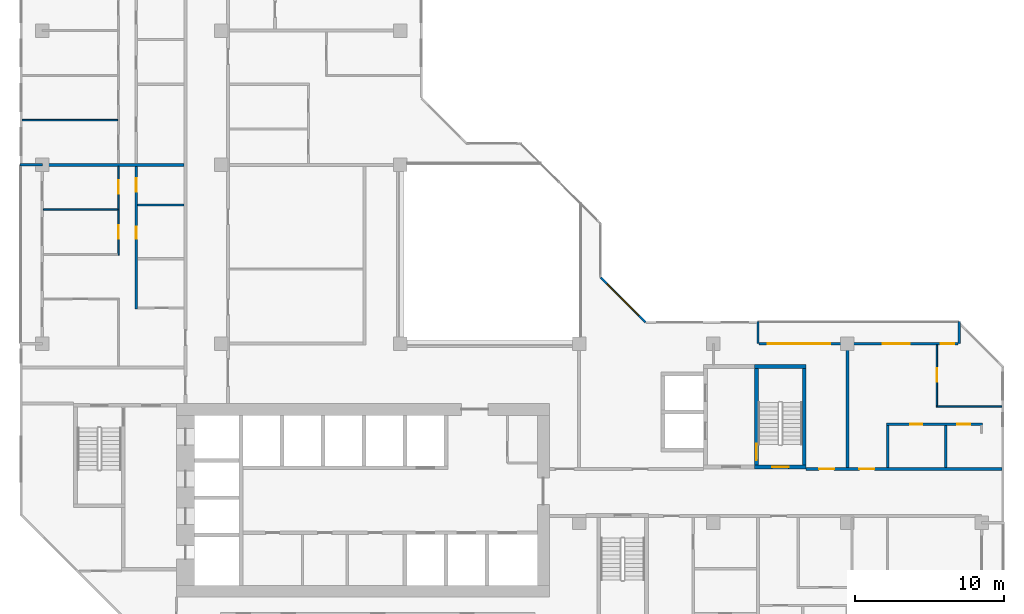
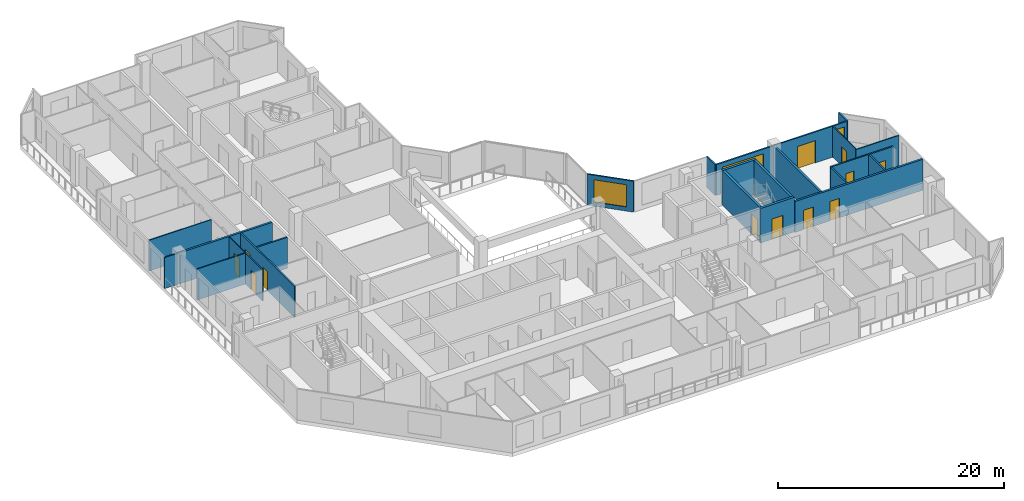
# One storey, part 8 of 15: 22 walls, 12 doors, 3 windows, 15 openings.
"""IFC4 building model written with IfcOpenShell, lengths in metres."""

from ifc_helpers import new_model, si_unit, direction, frame, frame_2d, origin, place, context, subcontext, project, spatial, rectangle, extrude, material, layer, layer_set, type_object, element, fill, save


model = new_model("IFC4")

# Units and contexts
model_context = context("Model", 3, precision=1e-05, world=origin(), true_north=direction((0.0, 1.0)))
body_context = subcontext(model_context, "Body", "Model", "MODEL_VIEW")
ifc_project = project(units=[si_unit("LENGTHUNIT", "METRE"), si_unit("AREAUNIT", "SQUARE_METRE"), si_unit("VOLUMEUNIT", "CUBIC_METRE"), si_unit("PLANEANGLEUNIT", "RADIAN"), si_unit("MASSUNIT", "GRAM", prefix="KILO")], contexts=[model_context])

# Site, building, storey
site_placement = place(None, origin())
site = spatial("IfcSite", under=ifc_project, at=site_placement, CompositionType="ELEMENT")
building_placement = place(site_placement, origin())
building = spatial("IfcBuilding", under=site, at=building_placement, Name="Chenar Terraces", CompositionType="ELEMENT")
storey_placement = place(building_placement, frame((0.0, 0.0, 176.14990234375)))
storey = spatial("IfcBuildingStorey", under=building, at=storey_placement, Name="L40", CompositionType="ELEMENT", Elevation=176.14990234375)

# Wall, opening, door
ifc_material_1 = material(Name="Concrete C60/75", Category="concrete")
ifc_layer_1 = layer(ifc_material_1, 0.25)
ifc_layer_set_1 = layer_set([ifc_layer_1], Name="Concrete C60/75")
wall_type_1 = type_object("IfcWallType", Name="Core wall 250 Concrete C60/75", PredefinedType="SHEAR", material=ifc_layer_set_1)
wall_1_placement = place(storey_placement, frame((47.77490234375, 15.72509765625, 0.0), z_axis=(0.0, 0.0, 1.0), x_axis=(1.0, 0.0, 0.0)))
wall_1 = element("IfcWall", 1, at=wall_1_placement, inside=storey, type_object=wall_type_1, Name="Core wall ST3_S L40", PredefinedType="SHEAR", context=body_context, shape_type="SweptSolid", body=[
    extrude(rectangle(XDim=3.4501953125, YDim=0.25, at=frame_2d((1.72509765625, 0.0))), origin(), (0.0, 0.0, 1.0), 3.75),
])
opening_1_placement = place(wall_1_placement, frame((1.175048828125, 0.0, 0.0)))
opening_1 = element("IfcOpeningElement", 2, at=opening_1_placement, cuts=wall_1, Name="Opening DL40-C8", PredefinedType="OPENING", context=body_context, shape_type="SweptSolid", body=[
    extrude(rectangle(XDim=1.10009765625, YDim=2.199951171875, at=frame_2d((0.550048828125, 1.10009765625))), frame((0.0, 0.135009765625, 0.0), z_axis=(0.0, -1.0, 0.0), x_axis=(1.0, 0.0, 0.0)), (0.0, 0.0, 1.0), 0.27001953125),
])
ifc_material_2 = material(Name="Steel-framed fire-resisting door leaf", Category="steel")
door_type_1 = type_object("IfcDoorType", Name="Stair fire door FD60 1100 x 2200", OperationType="SINGLE_SWING_LEFT", PredefinedType="DOOR", material=ifc_material_2)
door_1_placement = place(opening_1_placement, frame((1.10009765625, 0.0, 0.0), z_axis=(0.0, 0.0, 1.0), x_axis=(-1.0, 0.0, 0.0)))
door_1 = element("IfcDoor", 3, at=door_1_placement, inside=storey, type_object=door_type_1, Name="Stair door DL40-C8", OperationType="SINGLE_SWING_LEFT", OverallHeight=2.199951171875, OverallWidth=1.10009765625, PredefinedType="DOOR", context=body_context, shape_type="SweptSolid", body=[
    extrude(rectangle(XDim=1.10009765625, YDim=2.199951171875, at=frame_2d((0.550048828125, 1.10009765625))), frame((0.0, 0.02490234375, 0.0), z_axis=(0.0, -1.0, 0.0), x_axis=(1.0, 0.0, 0.0)), (0.0, 0.0, 1.0), 0.050048828125),
])
fill(opening_1, door_1)

# Wall
wall_2_placement = place(storey_placement, frame((47.77490234375, 22.47509765625, 0.0), z_axis=(0.0, 0.0, 1.0), x_axis=(1.0, 0.0, 0.0)))
element("IfcWall", 4, at=wall_2_placement, inside=storey, type_object=wall_type_1, Name="Core wall ST3_N L40", PredefinedType="SHEAR", context=body_context, shape_type="SweptSolid", body=[
    extrude(rectangle(XDim=3.4501953125, YDim=0.25, at=frame_2d((1.72509765625, 0.0))), origin(), (0.0, 0.0, 1.0), 3.75),
])

# Wall, opening, door
wall_3_placement = place(storey_placement, frame((47.89990234375, 15.85009765625, 0.0), z_axis=(0.0, 0.0, 1.0), x_axis=(0.0, 1.0, 0.0)))
wall_3 = element("IfcWall", 5, at=wall_3_placement, inside=storey, type_object=wall_type_1, Name="Core wall ST3_W L40", PredefinedType="SHEAR", context=body_context, shape_type="SweptSolid", body=[
    extrude(rectangle(XDim=6.5, YDim=0.25, at=frame_2d((3.25, 0.0))), origin(), (0.0, 0.0, 1.0), 3.75),
])
opening_2_placement = place(wall_3_placement, frame((0.35009765625, 0.0, 0.0)))
opening_2 = element("IfcOpeningElement", 6, at=opening_2_placement, cuts=wall_3, Name="Opening DL40-C11", PredefinedType="OPENING", context=body_context, shape_type="SweptSolid", body=[
    extrude(rectangle(XDim=1.10009765625, YDim=2.199951171875, at=frame_2d((0.550048828125, 1.10009765625))), frame((0.0, 0.135009765625, 0.0), z_axis=(0.0, -1.0, 0.0), x_axis=(1.0, 0.0, 0.0)), (0.0, 0.0, 1.0), 0.27001953125),
])
door_2_placement = place(opening_2_placement, frame((1.10009765625, 0.0, 0.0), z_axis=(0.0, 0.0, 1.0), x_axis=(-1.0, 0.0, 0.0)))
door_2 = element("IfcDoor", 7, at=door_2_placement, inside=storey, type_object=door_type_1, Name="Stair door DL40-C11", OperationType="SINGLE_SWING_RIGHT", OverallHeight=2.199951171875, OverallWidth=1.10009765625, PredefinedType="DOOR", context=body_context, shape_type="SweptSolid", body=[
    extrude(rectangle(XDim=1.10009765625, YDim=2.199951171875, at=frame_2d((0.550048828125, 1.10009765625))), frame((0.0, 0.02490234375, 0.0), z_axis=(0.0, -1.0, 0.0), x_axis=(1.0, 0.0, 0.0)), (0.0, 0.0, 1.0), 0.050048828125),
])
fill(opening_2, door_2)

# Wall
wall_4_placement = place(storey_placement, frame((51.10009765625, 15.85009765625, 0.0), z_axis=(0.0, 0.0, 1.0), x_axis=(0.0, 1.0, 0.0)))
element("IfcWall", 8, at=wall_4_placement, inside=storey, type_object=wall_type_1, Name="Core wall ST3_E L40", PredefinedType="SHEAR", context=body_context, shape_type="SweptSolid", body=[
    extrude(rectangle(XDim=6.5, YDim=0.25, at=frame_2d((3.25, 0.0))), origin(), (0.0, 0.0, 1.0), 3.75),
])

# Wall, openings, doors
ifc_material_3 = material(Name="Gypsum board on steel studs with fire boards", Category="steel")
ifc_layer_2 = layer(ifc_material_3, 0.199951171875)
ifc_layer_set_2 = layer_set([ifc_layer_2], Name="Gypsum board on steel studs with fire boards")
wall_type_2 = type_object("IfcWallType", Name="Corridor wall 200", PredefinedType="PARTITIONING", material=ifc_layer_set_2)
wall_5_placement = place(storey_placement, frame((51.22509765625, 15.60009765625, 0.0), z_axis=(0.0, 0.0, 1.0), x_axis=(1.0, 0.0, 0.0)))
wall_5 = element("IfcWall", 9, at=wall_5_placement, inside=storey, type_object=wall_type_2, Name="Partition L40-077", PredefinedType="PARTITIONING", context=body_context, shape_type="SweptSolid", body=[
    extrude(rectangle(XDim=13.125, YDim=0.199951171875, at=frame_2d((6.5625, 0.0))), origin(), (0.0, 0.0, 1.0), 3.35009765625),
])
opening_3_placement = place(wall_5_placement, frame((3.574951171875, 0.0, 0.0)))
opening_3 = element("IfcOpeningElement", 10, at=opening_3_placement, cuts=wall_5, Name="Opening DL40-7", PredefinedType="OPENING", context=body_context, shape_type="SweptSolid", body=[
    extrude(rectangle(XDim=1.0, YDim=2.10009765625, at=frame_2d((0.5, 1.050048828125))), frame((0.0, 0.10986328125, 0.0), z_axis=(0.0, -1.0, 0.0), x_axis=(1.0, 0.0, 0.0)), (0.0, 0.0, 1.0), 0.219970703125),
])
opening_4_placement = place(wall_5_placement, frame((0.875, 0.0, 0.0)))
opening_4 = element("IfcOpeningElement", 11, at=opening_4_placement, cuts=wall_5, Name="Opening DL40-42", PredefinedType="OPENING", context=body_context, shape_type="SweptSolid", body=[
    extrude(rectangle(XDim=1.0, YDim=2.10009765625, at=frame_2d((0.5, 1.050048828125))), frame((0.0, 0.10986328125, 0.0), z_axis=(0.0, -1.0, 0.0), x_axis=(1.0, 0.0, 0.0)), (0.0, 0.0, 1.0), 0.219970703125),
])
ifc_material_4 = material(Name="Steel-framed fire-resisting door leaf", Category="steel")
door_type_2 = type_object("IfcDoorType", Name="Fire door FD30S 1000 x 2100", OperationType="SINGLE_SWING_LEFT", PredefinedType="DOOR", material=ifc_material_4)
door_3_placement = place(opening_3_placement, origin())
door_3 = element("IfcDoor", 12, at=door_3_placement, inside=storey, type_object=door_type_2, Name="Door DL40-7", OperationType="SINGLE_SWING_LEFT", OverallHeight=2.10009765625, OverallWidth=1.0, PredefinedType="DOOR", context=body_context, shape_type="SweptSolid", body=[
    extrude(rectangle(XDim=1.0, YDim=2.10009765625, at=frame_2d((0.5, 1.050048828125))), frame((0.0, 0.02490234375, 0.0), z_axis=(0.0, -1.0, 0.0), x_axis=(1.0, 0.0, 0.0)), (0.0, 0.0, 1.0), 0.050048828125),
])
fill(opening_3, door_3)
door_4_placement = place(opening_4_placement, origin())
door_4 = element("IfcDoor", 13, at=door_4_placement, inside=storey, type_object=door_type_2, Name="Door DL40-42", OperationType="SINGLE_SWING_RIGHT", OverallHeight=2.10009765625, OverallWidth=1.0, PredefinedType="DOOR", context=body_context, shape_type="SweptSolid", body=[
    extrude(rectangle(XDim=1.0, YDim=2.10009765625, at=frame_2d((0.5, 1.050048828125))), frame((0.0, 0.02490234375, 0.0), z_axis=(0.0, -1.0, 0.0), x_axis=(1.0, 0.0, 0.0)), (0.0, 0.0, 1.0), 0.050048828125),
])
fill(opening_4, door_4)

# Wall, openings, windows, door
ifc_material_5 = material(Name="Aluminium framed glazing", Category="aluminium")
ifc_layer_3 = layer(ifc_material_5, 0.14990234375)
ifc_layer_set_3 = layer_set([ifc_layer_3], Name="Aluminium framed glazing")
wall_type_3 = type_object("IfcWallType", Name="Glazed loggia back wall 150", PredefinedType="SOLIDWALL", material=ifc_layer_set_3)
wall_6_placement = place(storey_placement, frame((61.425048828125, 24.0, 0.0), z_axis=(0.0, 0.0, 1.0), x_axis=(-1.0, 0.0, 0.0)))
wall_6 = element("IfcWall", 14, at=wall_6_placement, inside=storey, type_object=wall_type_3, Name="Glazed loggia back wall", PredefinedType="SOLIDWALL", context=body_context, shape_type="SweptSolid", body=[
    extrude(rectangle(XDim=13.35009765625, YDim=0.14990234375, at=frame_2d((6.675048828125, 0.0))), origin(), (0.0, 0.0, 1.0), 3.35009765625),
])
opening_5_placement = place(wall_6_placement, frame((0.262451171875, 0.0, 0.449951171875)))
opening_5 = element("IfcOpeningElement", 15, at=opening_5_placement, cuts=wall_6, Name="Opening W90x240", PredefinedType="OPENING", context=body_context, shape_type="SweptSolid", body=[
    extrude(rectangle(XDim=0.89990234375, YDim=2.39990234375, at=frame_2d((0.449951171875, 1.199951171875))), frame((0.0, 0.0849609375, 0.0), z_axis=(0.0, -1.0, 0.0), x_axis=(1.0, 0.0, 0.0)), (0.0, 0.0, 1.0), 0.169921875),
])
opening_6_placement = place(wall_6_placement, frame((3.25, 0.0, 0.0)))
opening_6 = element("IfcOpeningElement", 16, at=opening_6_placement, cuts=wall_6, Name="Opening DL40-G1", PredefinedType="OPENING", context=body_context, shape_type="SweptSolid", body=[
    extrude(rectangle(XDim=1.800048828125, YDim=2.39990234375, at=frame_2d((0.89990234375, 1.199951171875))), frame((0.0, 0.0849609375, 0.0), z_axis=(0.0, -1.0, 0.0), x_axis=(1.0, 0.0, 0.0)), (0.0, 0.0, 1.0), 0.169921875),
])
opening_7_placement = place(wall_6_placement, frame((8.5625, 0.0, 0.449951171875)))
opening_7 = element("IfcOpeningElement", 17, at=opening_7_placement, cuts=wall_6, Name="Opening W420x240", PredefinedType="OPENING", context=body_context, shape_type="SweptSolid", body=[
    extrude(rectangle(XDim=4.199951171875, YDim=2.39990234375, at=frame_2d((2.10009765625, 1.199951171875))), frame((0.0, 0.0849609375, 0.0), z_axis=(0.0, -1.0, 0.0), x_axis=(1.0, 0.0, 0.0)), (0.0, 0.0, 1.0), 0.169921875),
])
ifc_material_6 = material(Name="Low emissivity double glazing, aluminium frame", Category="aluminium")
window_type_1 = type_object("IfcWindowType", Name="Fixed light 4200 x 2400", PartitioningType="SINGLE_PANEL", PredefinedType="WINDOW", material=ifc_material_6)
window_1_placement = place(opening_7_placement, origin())
window_1 = element("IfcWindow", 18, at=window_1_placement, inside=storey, type_object=window_type_1, Name="Window", OverallHeight=2.39990234375, OverallWidth=4.199951171875, PartitioningType="SINGLE_PANEL", PredefinedType="WINDOW", context=body_context, shape_type="SweptSolid", body=[
    extrude(rectangle(XDim=4.199951171875, YDim=2.39990234375, at=frame_2d((2.10009765625, 1.199951171875))), frame((0.0, 0.030029296875, 0.0), z_axis=(0.0, -1.0, 0.0), x_axis=(1.0, 0.0, 0.0)), (0.0, 0.0, 1.0), 0.06005859375),
])
fill(opening_7, window_1)
ifc_material_7 = material(Name="Low emissivity double glazing, aluminium frame", Category="aluminium")
window_type_2 = type_object("IfcWindowType", Name="Fixed light 900 x 2400", PartitioningType="SINGLE_PANEL", PredefinedType="WINDOW", material=ifc_material_7)
window_2_placement = place(opening_5_placement, origin())
window_2 = element("IfcWindow", 19, at=window_2_placement, inside=storey, type_object=window_type_2, Name="Window", OverallHeight=2.39990234375, OverallWidth=0.89990234375, PartitioningType="SINGLE_PANEL", PredefinedType="WINDOW", context=body_context, shape_type="SweptSolid", body=[
    extrude(rectangle(XDim=0.89990234375, YDim=2.39990234375, at=frame_2d((0.449951171875, 1.199951171875))), frame((0.0, 0.030029296875, 0.0), z_axis=(0.0, -1.0, 0.0), x_axis=(1.0, 0.0, 0.0)), (0.0, 0.0, 1.0), 0.06005859375),
])
fill(opening_5, window_2)
ifc_material_8 = material(Name="Low emissivity double glazing, aluminium frame", Category="aluminium")
door_type_3 = type_object("IfcDoorType", Name="Loggia glazed double door 1800 x 2400", OperationType="DOUBLE_DOOR_SINGLE_SWING", PredefinedType="DOOR", material=ifc_material_8)
door_5_placement = place(opening_6_placement, frame((1.800048828125, 0.0, 0.0), z_axis=(0.0, 0.0, 1.0), x_axis=(-1.0, 0.0, 0.0)))
door_5 = element("IfcDoor", 20, at=door_5_placement, inside=storey, type_object=door_type_3, Name="Loggia glazed door", OperationType="DOUBLE_DOOR_SINGLE_SWING", OverallHeight=2.39990234375, OverallWidth=1.800048828125, PredefinedType="DOOR", context=body_context, shape_type="SweptSolid", body=[
    extrude(rectangle(XDim=1.800048828125, YDim=2.39990234375, at=frame_2d((0.89990234375, 1.199951171875))), frame((0.0, 0.02490234375, 0.0), z_axis=(0.0, -1.0, 0.0), x_axis=(1.0, 0.0, 0.0)), (0.0, 0.0, 1.0), 0.050048828125),
])
fill(opening_6, door_5)

# Walls
ifc_material_9 = material(Name="Gypsum board on steel studs", Category="steel")
ifc_layer_4 = layer(ifc_material_9, 0.10009765625)
ifc_layer_set_4 = layer_set([ifc_layer_4], Name="Gypsum board on steel studs")
wall_type_4 = type_object("IfcWallType", Name="Gypsum partition 100", PredefinedType="PARTITIONING", material=ifc_layer_set_4)
wall_7_placement = place(storey_placement, frame((-1.35107421875, 39.0, 0.0), z_axis=(0.0, 0.0, 1.0), x_axis=(1.0, 0.0, 0.0)))
element("IfcWall", 21, at=wall_7_placement, inside=storey, type_object=wall_type_4, Name="Partition L40-001", PredefinedType="PARTITIONING", context=body_context, shape_type="SweptSolid", body=[
    extrude(rectangle(XDim=6.401123046875, YDim=0.10009765625, at=frame_2d((3.20068359375, 0.0))), origin(), (0.0, 0.0, 1.0), 3.35009765625),
])
wall_8_placement = place(storey_placement, frame((0.073974609375, 33.0, 0.0), z_axis=(0.0, 0.0, 1.0), x_axis=(1.0, 0.0, 0.0)))
element("IfcWall", 22, at=wall_8_placement, inside=storey, type_object=wall_type_4, Name="Partition L40-010", PredefinedType="PARTITIONING", context=body_context, shape_type="SweptSolid", body=[
    extrude(rectangle(XDim=4.97607421875, YDim=0.10009765625, at=frame_2d((2.488037109375, 0.0))), origin(), (0.0, 0.0, 1.0), 3.35009765625),
])

# Wall, openings, doors
wall_9_placement = place(storey_placement, frame((5.10009765625, 29.949951171875, 0.0), z_axis=(0.0, 0.0, 1.0), x_axis=(0.0, 1.0, 0.0)))
wall_9 = element("IfcWall", 23, at=wall_9_placement, inside=storey, type_object=wall_type_4, Name="Partition L40-015", PredefinedType="PARTITIONING", context=body_context, shape_type="SweptSolid", body=[
    extrude(rectangle(XDim=5.949951171875, YDim=0.10009765625, at=frame_2d((2.97509765625, 0.0))), origin(), (0.0, 0.0, 1.0), 3.35009765625),
])
opening_8_placement = place(wall_9_placement, frame((4.10009765625, 0.0, 0.0)))
opening_8 = element("IfcOpeningElement", 24, at=opening_8_placement, cuts=wall_9, Name="Opening DL40-59", PredefinedType="OPENING", context=body_context, shape_type="SweptSolid", body=[
    extrude(rectangle(XDim=0.89990234375, YDim=2.10009765625, at=frame_2d((0.449951171875, 1.050048828125))), frame((0.0, 0.06005859375, 0.0), z_axis=(0.0, -1.0, 0.0), x_axis=(1.0, 0.0, 0.0)), (0.0, 0.0, 1.0), 0.1201171875),
])
opening_9_placement = place(wall_9_placement, frame((1.10009765625, 0.0, 0.0)))
opening_9 = element("IfcOpeningElement", 25, at=opening_9_placement, cuts=wall_9, Name="Opening DL40-63", PredefinedType="OPENING", context=body_context, shape_type="SweptSolid", body=[
    extrude(rectangle(XDim=0.89990234375, YDim=2.10009765625, at=frame_2d((0.449951171875, 1.050048828125))), frame((0.0, 0.06005859375, 0.0), z_axis=(0.0, -1.0, 0.0), x_axis=(1.0, 0.0, 0.0)), (0.0, 0.0, 1.0), 0.1201171875),
])
ifc_material_10 = material(Name="Veneered timber door leaf", Category="wood")
door_type_4 = type_object("IfcDoorType", Name="Door 900 x 2100", OperationType="SINGLE_SWING_LEFT", PredefinedType="DOOR", material=ifc_material_10)
door_6_placement = place(opening_8_placement, origin())
door_6 = element("IfcDoor", 26, at=door_6_placement, inside=storey, type_object=door_type_4, Name="Door DL40-59", OperationType="SINGLE_SWING_RIGHT", OverallHeight=2.10009765625, OverallWidth=0.89990234375, PredefinedType="DOOR", context=body_context, shape_type="SweptSolid", body=[
    extrude(rectangle(XDim=0.89990234375, YDim=2.10009765625, at=frame_2d((0.449951171875, 1.050048828125))), frame((0.0, 0.02490234375, 0.0), z_axis=(0.0, -1.0, 0.0), x_axis=(1.0, 0.0, 0.0)), (0.0, 0.0, 1.0), 0.050048828125),
])
fill(opening_8, door_6)
door_7_placement = place(opening_9_placement, origin())
door_7 = element("IfcDoor", 27, at=door_7_placement, inside=storey, type_object=door_type_4, Name="Door DL40-63", OperationType="SINGLE_SWING_LEFT", OverallHeight=2.10009765625, OverallWidth=0.89990234375, PredefinedType="DOOR", context=body_context, shape_type="SweptSolid", body=[
    extrude(rectangle(XDim=0.89990234375, YDim=2.10009765625, at=frame_2d((0.449951171875, 1.050048828125))), frame((0.0, 0.02490234375, 0.0), z_axis=(0.0, -1.0, 0.0), x_axis=(1.0, 0.0, 0.0)), (0.0, 0.0, 1.0), 0.050048828125),
])
fill(opening_9, door_7)

# Wall
wall_10_placement = place(storey_placement, frame((59.949951171875, 19.800048828125, 0.0), z_axis=(0.0, 0.0, 1.0), x_axis=(1.0, 0.0, 0.0)))
element("IfcWall", 28, at=wall_10_placement, inside=storey, type_object=wall_type_4, Name="Partition L40-085", PredefinedType="PARTITIONING", context=body_context, shape_type="SweptSolid", body=[
    extrude(rectangle(XDim=4.401123046875, YDim=0.10009765625, at=frame_2d((2.20068359375, 0.0))), origin(), (0.0, 0.0, 1.0), 3.35009765625),
])

# Wall, opening, door
wall_11_placement = place(storey_placement, frame((60.0, 19.85009765625, 0.0), z_axis=(0.0, 0.0, 1.0), x_axis=(0.0, 1.0, 0.0)))
wall_11 = element("IfcWall", 29, at=wall_11_placement, inside=storey, type_object=wall_type_4, Name="Partition L40-086", PredefinedType="PARTITIONING", context=body_context, shape_type="SweptSolid", body=[
    extrude(rectangle(XDim=4.075927734375, YDim=0.10009765625, at=frame_2d((2.0380859375, 0.0))), origin(), (0.0, 0.0, 1.0), 3.35009765625),
])
opening_10_placement = place(wall_11_placement, frame((1.60009765625, 0.0, 0.0)))
opening_10 = element("IfcOpeningElement", 30, at=opening_10_placement, cuts=wall_11, Name="Opening DL40-5", PredefinedType="OPENING", context=body_context, shape_type="SweptSolid", body=[
    extrude(rectangle(XDim=0.89990234375, YDim=2.10009765625, at=frame_2d((0.449951171875, 1.050048828125))), frame((0.0, 0.06005859375, 0.0), z_axis=(0.0, -1.0, 0.0), x_axis=(1.0, 0.0, 0.0)), (0.0, 0.0, 1.0), 0.1201171875),
])
door_8_placement = place(opening_10_placement, frame((0.89990234375, 0.0, 0.0), z_axis=(0.0, 0.0, 1.0), x_axis=(-1.0, 0.0, 0.0)))
door_8 = element("IfcDoor", 31, at=door_8_placement, inside=storey, type_object=door_type_4, Name="Door DL40-5", OperationType="SINGLE_SWING_LEFT", OverallHeight=2.10009765625, OverallWidth=0.89990234375, PredefinedType="DOOR", context=body_context, shape_type="SweptSolid", body=[
    extrude(rectangle(XDim=0.89990234375, YDim=2.10009765625, at=frame_2d((0.449951171875, 1.050048828125))), frame((0.0, 0.02490234375, 0.0), z_axis=(0.0, -1.0, 0.0), x_axis=(1.0, 0.0, 0.0)), (0.0, 0.0, 1.0), 0.050048828125),
])
fill(opening_10, door_8)

# Walls
ifc_material_11 = material(Name="Terracotta cladding on insulated backing", Category="masonry")
ifc_layer_5 = layer(ifc_material_11, 0.14990234375)
ifc_layer_set_5 = layer_set([ifc_layer_5], Name="Terracotta cladding on insulated backing")
wall_type_5 = type_object("IfcWallType", Name="Loggia return wall 150", PredefinedType="SOLIDWALL", material=ifc_layer_set_5)
for number, where, z_axis, x_axis, name in (
    (32, (61.5, 25.5, 0.0), (0.0, 0.0, 1.0), (0.0, -1.0, 0.0), "Loggia return wall"),
    (33, (48.0, 25.5, 0.0), (0.0, 0.0, 1.0), (0.0, -1.0, 0.0), "Loggia return wall"),
    (34, (-1.5, 36.0, 0.0), (0.0, 0.0, 1.0), (1.0, 0.0, 0.0), "Loggia return wall"),
):
    element("IfcWall", number, at=place(storey_placement, frame(where, z_axis=z_axis, x_axis=x_axis)), inside=storey, type_object=wall_type_5, Name=name, PredefinedType="SOLIDWALL", context=body_context, shape_type="SweptSolid", body=[
        extrude(rectangle(XDim=1.5, YDim=0.14990234375, at=frame_2d((0.75, 0.0))), origin(), (0.0, 0.0, 1.0), 3.35009765625),
    ])

# Wall, opening, window
ifc_material_12 = material(Name="Terracotta cladding on insulated backing", Category="masonry")
ifc_layer_6 = layer(ifc_material_12, 0.14990234375)
ifc_layer_set_6 = layer_set([ifc_layer_6], Name="Terracotta cladding on insulated backing")
wall_type_6 = type_object("IfcWallType", Name="Terracotta rainscreen wall 150", PredefinedType="SOLIDWALL", material=ifc_layer_set_6)
wall_12_placement = place(storey_placement, frame((40.447021484375, 25.447021484375, 0.0), z_axis=(0.0, 0.0, 1.0), x_axis=(-0.707106781187, 0.707106781187, 0.0)))
wall_12 = element("IfcWall", 35, at=wall_12_placement, inside=storey, type_object=wall_type_6, Name="Terracotta rainscreen wall", PredefinedType="SOLIDWALL", context=body_context, shape_type="SweptSolid", body=[
    extrude(rectangle(XDim=4.24267578125, YDim=0.14990234375, at=frame_2d((2.121337890625, 0.0))), origin(), (0.0, 0.0, 1.0), 3.35009765625),
])
opening_11_placement = place(wall_12_placement, frame((0.621337890625, 0.0, 0.449951171875)))
opening_11 = element("IfcOpeningElement", 36, at=opening_11_placement, cuts=wall_12, Name="Opening W300x240", PredefinedType="OPENING", context=body_context, shape_type="SweptSolid", body=[
    extrude(rectangle(XDim=3.0, YDim=2.39990234375, at=frame_2d((1.5, 1.199951171875))), frame((0.0, 0.0849609375, 0.0), z_axis=(0.0, -1.0, 0.0), x_axis=(1.0, 0.0, 0.0)), (0.0, 0.0, 1.0), 0.169921875),
])
ifc_material_13 = material(Name="Low emissivity double glazing, aluminium frame", Category="aluminium")
window_type_3 = type_object("IfcWindowType", Name="Fixed light 3000 x 2400", PartitioningType="SINGLE_PANEL", PredefinedType="WINDOW", material=ifc_material_13)
window_3_placement = place(opening_11_placement, origin())
window_3 = element("IfcWindow", 37, at=window_3_placement, inside=storey, type_object=window_type_3, Name="Window", OverallHeight=2.39990234375, OverallWidth=3.0, PartitioningType="SINGLE_PANEL", PredefinedType="WINDOW", context=body_context, shape_type="SweptSolid", body=[
    extrude(rectangle(XDim=3.0, YDim=2.39990234375, at=frame_2d((1.5, 1.199951171875))), frame((0.0, 0.030029296875, 0.0), z_axis=(0.0, -1.0, 0.0), x_axis=(1.0, 0.0, 0.0)), (0.0, 0.0, 1.0), 0.06005859375),
])
fill(opening_11, window_3)

# Walls
ifc_material_14 = material(Name="Twin gypsum board on steel studs with mineral wool", Category="steel")
ifc_layer_7 = layer(ifc_material_14, 0.199951171875)
ifc_layer_set_7 = layer_set([ifc_layer_7], Name="Twin gypsum board on steel studs with mineral wool")
wall_type_7 = type_object("IfcWallType", Name="Unit demising wall 200", PredefinedType="PARTITIONING", material=ifc_layer_set_7)
wall_13_placement = place(storey_placement, frame((0.0, 36.0, 0.0), z_axis=(0.0, 0.0, 1.0), x_axis=(1.0, 0.0, 0.0)))
element("IfcWall", 38, at=wall_13_placement, inside=storey, type_object=wall_type_7, Name="Partition L40-004", PredefinedType="PARTITIONING", context=body_context, shape_type="SweptSolid", body=[
    extrude(rectangle(XDim=9.5, YDim=0.199951171875, at=frame_2d((4.75, 0.0))), origin(), (0.0, 0.0, 1.0), 3.35009765625),
])
wall_14_placement = place(storey_placement, frame((54.0, 15.699951171875, 0.0), z_axis=(0.0, 0.0, 1.0), x_axis=(0.0, 1.0, 0.0)))
element("IfcWall", 39, at=wall_14_placement, inside=storey, type_object=wall_type_7, Name="Partition L40-079", PredefinedType="PARTITIONING", context=body_context, shape_type="SweptSolid", body=[
    extrude(rectangle(XDim=8.22607421875, YDim=0.199951171875, at=frame_2d((4.113037109375, 0.0))), origin(), (0.0, 0.0, 1.0), 3.35009765625),
])

# Wall, openings, doors
ifc_material_15 = material(Name="Moisture-resistant gypsum board on steel studs", Category="steel")
ifc_layer_8 = layer(ifc_material_15, 0.14990234375)
ifc_layer_set_8 = layer_set([ifc_layer_8], Name="Moisture-resistant gypsum board on steel studs")
wall_type_8 = type_object("IfcWallType", Name="Wet-room partition 150", PredefinedType="PARTITIONING", material=ifc_layer_set_8)
wall_15_placement = place(storey_placement, frame((6.300048828125, 26.324951171875, 0.0), z_axis=(0.0, 0.0, 1.0), x_axis=(0.0, 1.0, 0.0)))
wall_15 = element("IfcWall", 40, at=wall_15_placement, inside=storey, type_object=wall_type_8, Name="Partition L40-017", PredefinedType="PARTITIONING", context=body_context, shape_type="SweptSolid", body=[
    extrude(rectangle(XDim=9.574951171875, YDim=0.14990234375, at=frame_2d((4.78759765625, 0.0))), origin(), (0.0, 0.0, 1.0), 3.35009765625),
])
opening_12_placement = place(wall_15_placement, frame((7.875, 0.0, 0.0)))
opening_12 = element("IfcOpeningElement", 41, at=opening_12_placement, cuts=wall_15, Name="Opening DL40-60", PredefinedType="OPENING", context=body_context, shape_type="SweptSolid", body=[
    extrude(rectangle(XDim=0.89990234375, YDim=2.10009765625, at=frame_2d((0.449951171875, 1.050048828125))), frame((0.0, 0.0849609375, 0.0), z_axis=(0.0, -1.0, 0.0), x_axis=(1.0, 0.0, 0.0)), (0.0, 0.0, 1.0), 0.169921875),
])
opening_13_placement = place(wall_15_placement, frame((4.72509765625, 0.0, 0.0)))
opening_13 = element("IfcOpeningElement", 42, at=opening_13_placement, cuts=wall_15, Name="Opening DL40-61", PredefinedType="OPENING", context=body_context, shape_type="SweptSolid", body=[
    extrude(rectangle(XDim=0.800048828125, YDim=2.10009765625, at=frame_2d((0.39990234375, 1.050048828125))), frame((0.0, 0.0849609375, 0.0), z_axis=(0.0, -1.0, 0.0), x_axis=(1.0, 0.0, 0.0)), (0.0, 0.0, 1.0), 0.169921875),
])
ifc_material_16 = material(Name="Veneered timber door leaf", Category="wood")
door_type_5 = type_object("IfcDoorType", Name="Door 800 x 2100", OperationType="SINGLE_SWING_LEFT", PredefinedType="DOOR", material=ifc_material_16)
door_9_placement = place(opening_13_placement, frame((0.800048828125, 0.0, 0.0), z_axis=(0.0, 0.0, 1.0), x_axis=(-1.0, 0.0, 0.0)))
door_9 = element("IfcDoor", 43, at=door_9_placement, inside=storey, type_object=door_type_5, Name="Door DL40-61", OperationType="SINGLE_SWING_RIGHT", OverallHeight=2.10009765625, OverallWidth=0.800048828125, PredefinedType="DOOR", context=body_context, shape_type="SweptSolid", body=[
    extrude(rectangle(XDim=0.800048828125, YDim=2.10009765625, at=frame_2d((0.39990234375, 1.050048828125))), frame((0.0, 0.02490234375, 0.0), z_axis=(0.0, -1.0, 0.0), x_axis=(1.0, 0.0, 0.0)), (0.0, 0.0, 1.0), 0.050048828125),
])
fill(opening_13, door_9)
door_10_placement = place(opening_12_placement, frame((0.89990234375, 0.0, 0.0), z_axis=(0.0, 0.0, 1.0), x_axis=(-1.0, 0.0, 0.0)))
door_10 = element("IfcDoor", 44, at=door_10_placement, inside=storey, type_object=door_type_4, Name="Door DL40-60", OperationType="SINGLE_SWING_RIGHT", OverallHeight=2.10009765625, OverallWidth=0.89990234375, PredefinedType="DOOR", context=body_context, shape_type="SweptSolid", body=[
    extrude(rectangle(XDim=0.89990234375, YDim=2.10009765625, at=frame_2d((0.449951171875, 1.050048828125))), frame((0.0, 0.02490234375, 0.0), z_axis=(0.0, -1.0, 0.0), x_axis=(1.0, 0.0, 0.0)), (0.0, 0.0, 1.0), 0.050048828125),
])
fill(opening_12, door_10)

# Wall
wall_16_placement = place(storey_placement, frame((6.375, 33.300048828125, 0.0), z_axis=(0.0, 0.0, 1.0), x_axis=(1.0, 0.0, 0.0)))
element("IfcWall", 45, at=wall_16_placement, inside=storey, type_object=wall_type_8, Name="Partition L40-022", PredefinedType="PARTITIONING", context=body_context, shape_type="SweptSolid", body=[
    extrude(rectangle(XDim=3.125, YDim=0.14990234375, at=frame_2d((1.5625, 0.0))), origin(), (0.0, 0.0, 1.0), 3.35009765625),
])

# Wall, openings, doors
wall_17_placement = place(storey_placement, frame((56.625, 18.60009765625, 0.0), z_axis=(0.0, 0.0, 1.0), x_axis=(1.0, 0.0, 0.0)))
wall_17 = element("IfcWall", 46, at=wall_17_placement, inside=storey, type_object=wall_type_8, Name="Partition L40-081", PredefinedType="PARTITIONING", context=body_context, shape_type="SweptSolid", body=[
    extrude(rectangle(XDim=6.425048828125, YDim=0.14990234375, at=frame_2d((3.21240234375, 0.0))), origin(), (0.0, 0.0, 1.0), 3.35009765625),
])
opening_14_placement = place(wall_17_placement, frame((1.574951171875, 0.0, 0.0)))
opening_14 = element("IfcOpeningElement", 47, at=opening_14_placement, cuts=wall_17, Name="Opening DL40-4", PredefinedType="OPENING", context=body_context, shape_type="SweptSolid", body=[
    extrude(rectangle(XDim=0.800048828125, YDim=2.10009765625, at=frame_2d((0.39990234375, 1.050048828125))), frame((0.0, 0.0849609375, 0.0), z_axis=(0.0, -1.0, 0.0), x_axis=(1.0, 0.0, 0.0)), (0.0, 0.0, 1.0), 0.169921875),
])
opening_15_placement = place(wall_17_placement, frame((4.72509765625, 0.0, 0.0)))
opening_15 = element("IfcOpeningElement", 48, at=opening_15_placement, cuts=wall_17, Name="Opening DL40-6", PredefinedType="OPENING", context=body_context, shape_type="SweptSolid", body=[
    extrude(rectangle(XDim=0.89990234375, YDim=2.10009765625, at=frame_2d((0.449951171875, 1.050048828125))), frame((0.0, 0.0849609375, 0.0), z_axis=(0.0, -1.0, 0.0), x_axis=(1.0, 0.0, 0.0)), (0.0, 0.0, 1.0), 0.169921875),
])
door_11_placement = place(opening_14_placement, frame((0.800048828125, 0.0, 0.0), z_axis=(0.0, 0.0, 1.0), x_axis=(-1.0, 0.0, 0.0)))
door_11 = element("IfcDoor", 49, at=door_11_placement, inside=storey, type_object=door_type_5, Name="Door DL40-4", OperationType="SINGLE_SWING_RIGHT", OverallHeight=2.10009765625, OverallWidth=0.800048828125, PredefinedType="DOOR", context=body_context, shape_type="SweptSolid", body=[
    extrude(rectangle(XDim=0.800048828125, YDim=2.10009765625, at=frame_2d((0.39990234375, 1.050048828125))), frame((0.0, 0.02490234375, 0.0), z_axis=(0.0, -1.0, 0.0), x_axis=(1.0, 0.0, 0.0)), (0.0, 0.0, 1.0), 0.050048828125),
])
fill(opening_14, door_11)
door_12_placement = place(opening_15_placement, frame((0.89990234375, 0.0, 0.0), z_axis=(0.0, 0.0, 1.0), x_axis=(-1.0, 0.0, 0.0)))
door_12 = element("IfcDoor", 50, at=door_12_placement, inside=storey, type_object=door_type_4, Name="Door DL40-6", OperationType="SINGLE_SWING_RIGHT", OverallHeight=2.10009765625, OverallWidth=0.89990234375, PredefinedType="DOOR", context=body_context, shape_type="SweptSolid", body=[
    extrude(rectangle(XDim=0.89990234375, YDim=2.10009765625, at=frame_2d((0.449951171875, 1.050048828125))), frame((0.0, 0.02490234375, 0.0), z_axis=(0.0, -1.0, 0.0), x_axis=(1.0, 0.0, 0.0)), (0.0, 0.0, 1.0), 0.050048828125),
])
fill(opening_15, door_12)

# Walls
for number, where, z_axis, x_axis, name in (
    (51, (56.699951171875, 15.699951171875, 0.0), (0.0, 0.0, 1.0), (0.0, 1.0, 0.0), "Partition L40-083"),
    (52, (60.60009765625, 15.699951171875, 0.0), (0.0, 0.0, 1.0), (0.0, 1.0, 0.0), "Partition L40-087"),
):
    element("IfcWall", number, at=place(storey_placement, frame(where, z_axis=z_axis, x_axis=x_axis)), inside=storey, type_object=wall_type_8, Name=name, PredefinedType="PARTITIONING", context=body_context, shape_type="SweptSolid", body=[
        extrude(rectangle(XDim=2.824951171875, YDim=0.14990234375, at=frame_2d((1.41259765625, 0.0))), origin(), (0.0, 0.0, 1.0), 3.35009765625),
    ])

save(model, "model.ifc")
